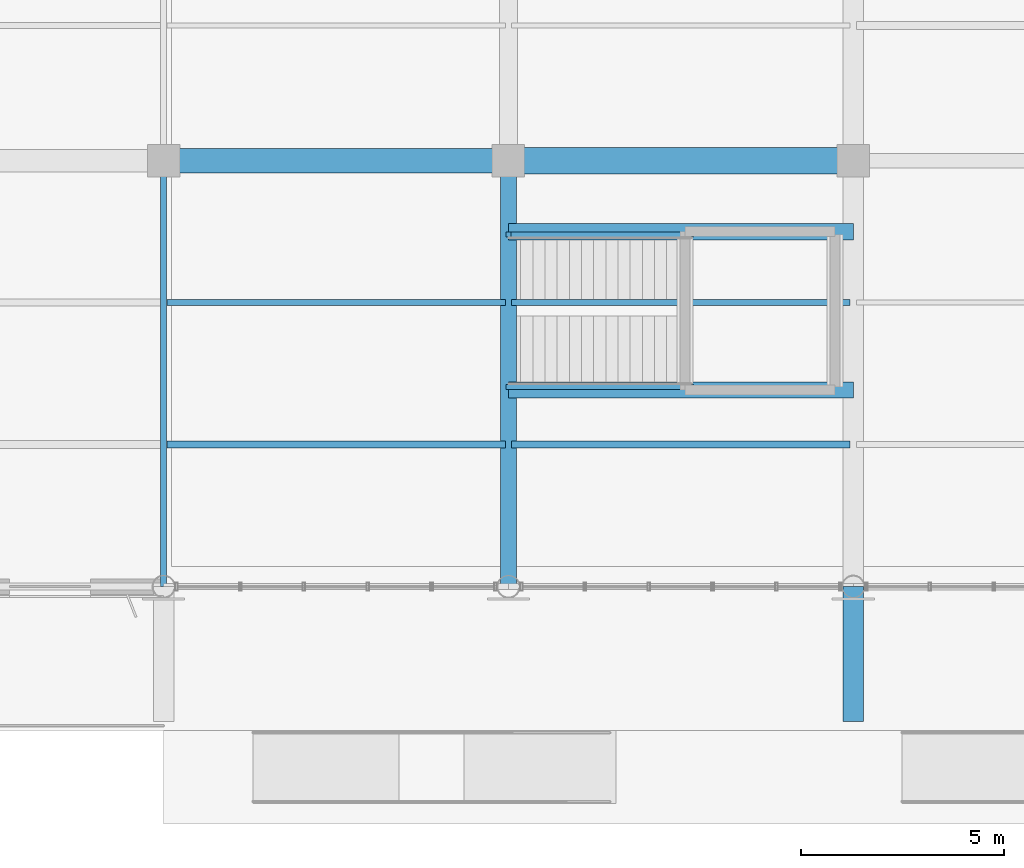
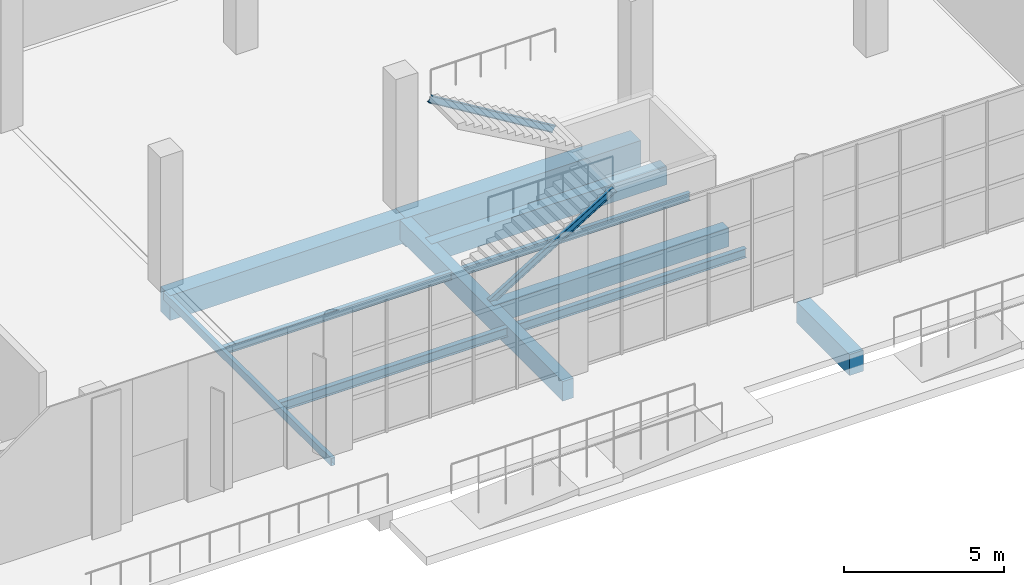
# One storey, part 9 of 90: 11 beams, 2 members.
"""IFC4 building model written with IfcOpenShell, lengths in metres."""

import ifcopenshell
import ifcopenshell.guid

model = None  # the IFC model being written
_history = None  # IfcOwnerHistory: only IFC2X3 demands one
_inside = {}  # id of a spatial element -> (the spatial element, [elements in it])
_under = {}  # id of a project, library or spatial element -> (it, [spatial elements below it])
_declared = {}  # id of a project -> (the project, [libraries it declares])
_typed = {}  # id of a type object -> (the type object, [elements of that type])
_made_of = {}  # id of a material, layer set ... -> (it, [elements and type objects made of it])


def new_model(schema):
    """Start an empty IFC model of exactly this schema.

    Asked for "IFC4X3", IfcOpenShell would pick the latest addendum, in which some entities
    have other attributes; the version numbers below select the first issue.
    IFC2X3 requires an IfcOwnerHistory on every rooted entity: one is made here for all.
    """
    global model, _history
    if schema == "IFC4X3":
        model = ifcopenshell.file(schema_version=(4, 3, 0, 0))
    else:
        model = ifcopenshell.file(schema=schema)
    _inside.clear()
    _under.clear()
    _declared.clear()
    _typed.clear()
    _made_of.clear()
    _history = None
    if model.schema == "IFC2X3":
        org = make("IfcOrganization", Name="unknown")
        user = make(
            "IfcPersonAndOrganization",
            ThePerson=make("IfcPerson", FamilyName="unknown"),
            TheOrganization=org,
        )
        app = make(
            "IfcApplication",
            ApplicationDeveloper=org,
            Version="unknown",
            ApplicationFullName="unknown",
            ApplicationIdentifier="unknown",
        )
        _history = make(
            "IfcOwnerHistory",
            OwningUser=user,
            OwningApplication=app,
            ChangeAction="ADDED",
            CreationDate=0,
        )
    return model


def make(cls, **values):
    """One entity of the class cls with the attributes given. An attribute that is None is left unset."""
    return model.create_entity(
        cls, **{name: value for name, value in values.items() if value is not None}
    )


def rooted(cls, **values):
    """An entity with a GlobalId (a new one), such as an element, a storey or a relation."""
    return make(cls, GlobalId=ifcopenshell.guid.new(), OwnerHistory=_history, **values)


def si_unit(unit_type, name, prefix=None):
    """IfcSIUnit, for example si_unit("LENGTHUNIT", "METRE", prefix="MILLI")."""
    return make("IfcSIUnit", UnitType=unit_type, Prefix=prefix, Name=name)


def assignment(units):
    """IfcUnitAssignment: the units of a project."""
    return None if units is None else make("IfcUnitAssignment", Units=units)


def point(xyz):
    """IfcCartesianPoint."""
    return None if xyz is None else make("IfcCartesianPoint", Coordinates=xyz)


def direction(xyz):
    """IfcDirection."""
    return None if xyz is None else make("IfcDirection", DirectionRatios=xyz)


def frame(location, z_axis=None, x_axis=None):
    """IfcAxis2Placement3D, a coordinate frame: its origin and axes. An axis left out is left unset."""
    return make(
        "IfcAxis2Placement3D",
        Location=point(location),
        Axis=direction(z_axis),
        RefDirection=direction(x_axis),
    )


def frame_2d(location, x_axis=None):
    """IfcAxis2Placement2D, a coordinate frame in the plane: its origin and x axis."""
    return make(
        "IfcAxis2Placement2D", Location=point(location), RefDirection=direction(x_axis)
    )


def origin():
    """The frame at (0, 0, 0) with its axes left unset."""
    return frame((0.0, 0.0, 0.0))


def origin_2d():
    """The frame at (0, 0) in the plane with its x axis left unset."""
    return frame_2d((0.0, 0.0))


def place(relative_to, where):
    """IfcLocalPlacement: puts the frame where relative to a parent placement (None: the world)."""
    return make(
        "IfcLocalPlacement", PlacementRelTo=relative_to, RelativePlacement=where
    )


def context(
    kind, dimensions, precision=None, world=None, true_north=None, identifier=None
):
    """IfcGeometricRepresentationContext, for example the 3D "Model" context."""
    return make(
        "IfcGeometricRepresentationContext",
        ContextIdentifier=identifier,
        ContextType=kind,
        CoordinateSpaceDimension=dimensions,
        Precision=precision,
        WorldCoordinateSystem=world,
        TrueNorth=true_north,
    )


def subcontext(parent, identifier, kind, view, scale=None):
    """IfcGeometricRepresentationSubContext, for example "Body" below "Model"."""
    return make(
        "IfcGeometricRepresentationSubContext",
        ContextIdentifier=identifier,
        ContextType=kind,
        ParentContext=parent,
        TargetScale=scale,
        TargetView=view,
    )


def project(units=None, contexts=None):
    """IfcProject with its units and contexts."""
    return rooted(
        "IfcProject",
        Name="project",
        RepresentationContexts=contexts,
        UnitsInContext=assignment(units),
    )


def spatial(cls, under=None, at=None, **own):
    """A site, building, storey or space (cls), placed at a placement, below another one or the project."""
    s = rooted(cls, ObjectPlacement=at, **own)
    if under is not None:
        _under.setdefault(under.id(), (under, []))[1].append(s)
    return s


def profile(cls, at=None, kind="AREA", **sizes):
    """A parametric profile (cls). Its sizes go by their IFC names, for example OverallWidth=200.0."""
    return make(cls, ProfileType=kind, Position=at, **sizes)


def rectangle(**sizes):
    """IfcRectangleProfileDef."""
    return profile("IfcRectangleProfileDef", **sizes)


def hollow_rectangle(**sizes):
    """IfcRectangleHollowProfileDef."""
    return profile("IfcRectangleHollowProfileDef", **sizes)


def i_section(**sizes):
    """IfcIShapeProfileDef."""
    return profile("IfcIShapeProfileDef", **sizes)


def extrude(swept, where, along, depth):
    """IfcExtrudedAreaSolid: the profile swept, set in the frame where, extruded along a direction by depth."""
    return make(
        "IfcExtrudedAreaSolid",
        SweptArea=swept,
        Position=where,
        ExtrudedDirection=direction(along),
        Depth=depth,
    )


def shape(context_of_items, identifier, shape_type, items):
    """IfcShapeRepresentation: the items that make up one representation, for example the "Body"."""
    return make(
        "IfcShapeRepresentation",
        ContextOfItems=context_of_items,
        RepresentationIdentifier=identifier,
        RepresentationType=shape_type,
        Items=items,
    )


def material(Name=None, Category=None):
    """IfcMaterial."""
    return make("IfcMaterial", Name=Name, Category=Category)


def material_profile(
    of_material, cross_section, Name=None, Category=None, Priority=None
):
    """IfcMaterialProfile: a cross section and its material."""
    return make(
        "IfcMaterialProfile",
        Name=Name,
        Material=of_material,
        Profile=cross_section,
        Priority=Priority,
        Category=Category,
    )


def profile_set(profiles, Name=None, composite=None):
    """IfcMaterialProfileSet."""
    return make(
        "IfcMaterialProfileSet",
        Name=Name,
        MaterialProfiles=profiles,
        CompositeProfile=composite,
    )


def made_of(thing, what):
    """Note that an element or type object is made of a material, layer set ...; save() writes the relation."""
    if what is not None:
        _made_of.setdefault(what.id(), (what, []))[1].append(thing)
    return thing


def type_object(cls, material=None, **own):
    """A type object (cls), such as IfcWallType, which elements share."""
    return made_of(rooted(cls, **own), material)


def element(
    cls,
    number,
    at=None,
    inside=None,
    cuts=None,
    type_object=None,
    material=None,
    context=None,
    identifier="Body",
    shape_type=None,
    held_by="IfcProductDefinitionShape",
    body=None,
    shapes=None,
    **own,
):
    """One element of the class cls, such as IfcWall. Its Tag is "e" and its number.

    at: its placement. inside: the storey or other place that contains it. cuts: it is an
    opening in that element (IfcRelVoidsElement). A single representation is given by context,
    identifier, shape_type and body (its items); several are given by shapes. held_by: the class
    of the entity that holds the representations. save() writes the other relations.
    """
    e = rooted(cls, Tag="e%d" % number, ObjectPlacement=at, **own)
    if body is not None:
        shapes = [shape(context, identifier, shape_type, body)]
    if shapes is not None:
        e.Representation = make(held_by, Representations=shapes)
    if inside is not None:
        _inside.setdefault(inside.id(), (inside, []))[1].append(e)
    if cuts is not None:
        rooted(
            "IfcRelVoidsElement", RelatingBuildingElement=cuts, RelatedOpeningElement=e
        )
    if type_object is not None:
        _typed.setdefault(type_object.id(), (type_object, []))[1].append(e)
    return made_of(e, material)


def aggregate(whole, parts):
    """IfcRelAggregates: a whole, such as a stair, and the parts it consists of."""
    return rooted("IfcRelAggregates", RelatingObject=whole, RelatedObjects=parts)


def save(model, path):
    """Write the relations noted so far, then the file.

    IfcRelAggregates (storeys below a building ...), IfcRelContainedInSpatialStructure (elements
    in a storey), IfcRelDefinesByType, IfcRelAssociatesMaterial and IfcRelDeclares: one each for
    every whole, place, type object, material and project.
    """
    for whole, parts in _under.values():
        aggregate(whole, parts)
    for where, things in _inside.values():
        rooted(
            "IfcRelContainedInSpatialStructure",
            RelatedElements=things,
            RelatingStructure=where,
        )
    for kind, things in _typed.values():
        rooted("IfcRelDefinesByType", RelatedObjects=things, RelatingType=kind)
    for what, things in _made_of.values():
        rooted("IfcRelAssociatesMaterial", RelatedObjects=things, RelatingMaterial=what)
    for by, libraries in _declared.values():
        rooted("IfcRelDeclares", RelatingContext=by, RelatedDefinitions=libraries)
    model.write(path)


model = new_model("IFC4")

# Units and contexts
model_context = context("Model", 3, precision=1e-05, world=origin(), true_north=direction((0.0, 1.0)))
body_context = subcontext(model_context, "Body", "Model", "MODEL_VIEW")
ifc_project = project(units=[si_unit("LENGTHUNIT", "METRE"), si_unit("AREAUNIT", "SQUARE_METRE"), si_unit("VOLUMEUNIT", "CUBIC_METRE"), si_unit("PLANEANGLEUNIT", "RADIAN"), si_unit("MASSUNIT", "GRAM", prefix="KILO")], contexts=[model_context])

# Site, building, storey
site_placement = place(None, origin())
site = spatial("IfcSite", under=ifc_project, at=site_placement, CompositionType="ELEMENT")
building_placement = place(site_placement, origin())
building = spatial("IfcBuilding", under=site, at=building_placement, Name="Solvikara Media Centre", CompositionType="ELEMENT")
storey_placement = place(building_placement, origin())
storey = spatial("IfcBuildingStorey", under=building, at=storey_placement, Name="L00", CompositionType="ELEMENT", Elevation=0.0)

# Beams
ifc_material_1 = material(Name="Concrete fc' 35 MPa (C35/45)", Category="concrete")
ifc_material_profile_1 = material_profile(ifc_material_1, rectangle(XDim=0.39990234375, YDim=0.699951171875, at=origin_2d()), Name="RC 400x700")
ifc_profile_set_1 = profile_set([ifc_material_profile_1], Name="Concrete fc' 35 MPa (C35/45)")
beam_type_1 = type_object("IfcBeamType", Name="BM-03", PredefinedType="BEAM", material=ifc_profile_set_1)
for number, where, z_axis, x_axis, name in (
    (1, (42.5, 4.85009765625, -0.68994140625), (1.0, 0.0, 0.0), (0.0, 1.0, 0.0), "B-FOY1-S"),
    (2, (42.5, 8.75, -0.68994140625), (1.0, 0.0, 0.0), (0.0, 1.0, 0.0), "B-FOY1-N"),
):
    element("IfcBeam", number, at=place(storey_placement, frame(where, z_axis=z_axis, x_axis=x_axis)), inside=storey, type_object=beam_type_1, Name=name, PredefinedType="BEAM", context=body_context, shape_type="SweptSolid", body=[
        extrude(rectangle(XDim=0.39990234375, YDim=0.699951171875, at=origin_2d()), origin(), (0.0, 0.0, 1.0), 8.5),
    ])
ifc_material_profile_2 = material_profile(ifc_material_1, rectangle(XDim=0.39990234375, YDim=0.75, at=origin_2d()), Name="RC 400x750")
ifc_profile_set_2 = profile_set([ifc_material_profile_2], Name="Concrete fc' 35 MPa (C35/45)")
beam_type_2 = type_object("IfcBeamType", Name="BM-04", PredefinedType="BEAM", material=ifc_profile_set_2)
beam_1_placement = place(storey_placement, frame((42.5, 0.0, -0.715087890625), z_axis=(0.0, 1.0, 0.0), x_axis=(-1.0, 0.0, 0.0)))
element("IfcBeam", 3, at=beam_1_placement, inside=storey, type_object=beam_type_2, Name="B-L00-Y0160", PredefinedType="BEAM", context=body_context, shape_type="SweptSolid", body=[
    extrude(rectangle(XDim=0.39990234375, YDim=0.75, at=origin_2d()), origin(), (0.0, 0.0, 1.0), 10.5),
])
ifc_material_profile_3 = material_profile(ifc_material_1, rectangle(XDim=0.5, YDim=0.800048828125, at=origin_2d()), Name="RC 500x800")
ifc_profile_set_3 = profile_set([ifc_material_profile_3], Name="Concrete fc' 35 MPa (C35/45)")
beam_type_3 = type_object("IfcBeamType", Name="BM-07", PredefinedType="BEAM", material=ifc_profile_set_3)
beam_2_placement = place(storey_placement, frame((51.0, -3.330078125, -0.64990234375), z_axis=(0.0, 1.0, 0.0), x_axis=(-1.0, 0.0, 0.0)))
element("IfcBeam", 4, at=beam_2_placement, inside=storey, type_object=beam_type_3, Name="B-L00-PRM-025", PredefinedType="BEAM", context=body_context, shape_type="SweptSolid", body=[
    extrude(rectangle(XDim=0.5, YDim=0.800048828125, at=origin_2d()), origin(), (0.0, 0.0, 1.0), 3.330078125),
])
ifc_material_2 = material(Name="Concrete fc' 45 MPa (C45/55)", Category="concrete")
ifc_material_profile_4 = material_profile(ifc_material_2, rectangle(XDim=0.60009765625, YDim=0.949951171875, at=origin_2d()), Name="RC 600x950")
ifc_profile_set_4 = profile_set([ifc_material_profile_4], Name="Concrete fc' 45 MPa (C45/55)")
beam_type_4 = type_object("IfcBeamType", Name="BM-11", PredefinedType="BEAM", material=ifc_profile_set_4)
beam_3_placement = place(storey_placement, frame((34.0, 10.5, -0.81494140625), z_axis=(1.0, 0.0, 0.0), x_axis=(0.0, 1.0, 0.0)))
element("IfcBeam", 5, at=beam_3_placement, inside=storey, type_object=beam_type_4, Name="B-L00-X0023", PredefinedType="BEAM", context=body_context, shape_type="SweptSolid", body=[
    extrude(rectangle(XDim=0.60009765625, YDim=0.949951171875, at=origin_2d()), origin(), (0.0, 0.0, 1.0), 8.5),
])
ifc_material_profile_5 = material_profile(ifc_material_2, rectangle(XDim=0.64990234375, YDim=1.10009765625, at=origin_2d()), Name="RC 650x1100")
ifc_profile_set_5 = profile_set([ifc_material_profile_5], Name="Concrete fc' 45 MPa (C45/55)")
beam_type_5 = type_object("IfcBeamType", Name="BM-12", PredefinedType="BEAM", material=ifc_profile_set_5)
beam_4_placement = place(storey_placement, frame((42.5, 10.5, -0.889892578125), z_axis=(1.0, 0.0, 0.0), x_axis=(0.0, 1.0, 0.0)))
element("IfcBeam", 6, at=beam_4_placement, inside=storey, type_object=beam_type_5, Name="B-L00-X0024", PredefinedType="BEAM", context=body_context, shape_type="SweptSolid", body=[
    extrude(rectangle(XDim=0.64990234375, YDim=1.10009765625, at=origin_2d()), origin(), (0.0, 0.0, 1.0), 8.5),
])
ifc_material_3 = material(Name="Steel S355JR", Category="steel")
ifc_material_profile_6 = material_profile(ifc_material_3, i_section(OverallWidth=0.175048828125, OverallDepth=0.35009765625, WebThickness=0.007080078125, FlangeThickness=0.010986328125, at=origin_2d()), Name="WF 350x175x7x11")
ifc_profile_set_6 = profile_set([ifc_material_profile_6], Name="Steel S355JR")
beam_type_6 = type_object("IfcBeamType", Name="BM-22", PredefinedType="JOIST", material=ifc_profile_set_6)
beam_5_placement = place(storey_placement, frame((34.077880859375, 3.5, -0.51708984375), z_axis=(1.0, 0.0, 0.0), x_axis=(0.0, 1.0, 0.0)))
element("IfcBeam", 7, at=beam_5_placement, inside=storey, type_object=beam_type_6, Name="J-L00-0330", PredefinedType="JOIST", context=body_context, shape_type="SweptSolid", body=[
    extrude(i_section(OverallWidth=0.175048828125, OverallDepth=0.35009765625, WebThickness=0.007080078125, FlangeThickness=0.010986328125, at=origin_2d()), origin(), (0.0, 0.0, 1.0), 8.34423828125),
])
ifc_material_profile_7 = material_profile(ifc_material_3, i_section(OverallWidth=0.14990234375, OverallDepth=0.300048828125, WebThickness=0.006591796875, FlangeThickness=0.009033203125, at=origin_2d()), Name="WF 300x150x6.5x9")
ifc_profile_set_7 = profile_set([ifc_material_profile_7], Name="Steel S355JR")
beam_type_7 = type_object("IfcBeamType", Name="BM-23", PredefinedType="JOIST", material=ifc_profile_set_7)
beam_6_placement = place(storey_placement, frame((34.077880859375, 7.0, -0.491943359375), z_axis=(1.0, 0.0, 0.0), x_axis=(0.0, 1.0, 0.0)))
element("IfcBeam", 8, at=beam_6_placement, inside=storey, type_object=beam_type_7, Name="J-L00-0331", PredefinedType="JOIST", context=body_context, shape_type="SweptSolid", body=[
    extrude(i_section(OverallWidth=0.14990234375, OverallDepth=0.300048828125, WebThickness=0.006591796875, FlangeThickness=0.009033203125, at=origin_2d()), origin(), (0.0, 0.0, 1.0), 8.34423828125),
])
ifc_material_profile_8 = material_profile(ifc_material_3, hollow_rectangle(XDim=0.14990234375, YDim=0.300048828125, WallThickness=0.010009765625, at=origin_2d()), Name="RHS 300x150x10")
ifc_profile_set_8 = profile_set([ifc_material_profile_8], Name="Steel S355JR")
beam_type_8 = type_object("IfcBeamType", Name="BM-35", PredefinedType="BEAM", material=ifc_profile_set_8)
beam_7_placement = place(storey_placement, frame((34.0, 0.0, -0.491943359375), z_axis=(0.0, 1.0, 0.0), x_axis=(-1.0, 0.0, 0.0)))
element("IfcBeam", 9, at=beam_7_placement, inside=storey, type_object=beam_type_8, Name="B-L00-Y0149", PredefinedType="BEAM", context=body_context, shape_type="SweptSolid", body=[
    extrude(hollow_rectangle(XDim=0.14990234375, YDim=0.300048828125, WallThickness=0.010009765625, at=origin_2d()), origin(), (0.0, 0.0, 1.0), 10.5),
])
ifc_material_profile_9 = material_profile(ifc_material_3, i_section(OverallWidth=0.174072265625, OverallDepth=0.345947265625, WebThickness=0.006103515625, FlangeThickness=0.009033203125, at=origin_2d()), Name="WF 346x174x6x9")
ifc_profile_set_9 = profile_set([ifc_material_profile_9], Name="Steel S355JR")
beam_type_9 = type_object("IfcBeamType", Name="BM-38", PredefinedType="JOIST", material=ifc_profile_set_9)
beam_8_placement = place(storey_placement, frame((42.577880859375, 3.5, -0.514892578125), z_axis=(1.0, 0.0, 0.0), x_axis=(0.0, 1.0, 0.0)))
element("IfcBeam", 10, at=beam_8_placement, inside=storey, type_object=beam_type_9, Name="J-L00-0334", PredefinedType="JOIST", context=body_context, shape_type="SweptSolid", body=[
    extrude(i_section(OverallWidth=0.174072265625, OverallDepth=0.345947265625, WebThickness=0.006103515625, FlangeThickness=0.009033203125, at=origin_2d()), origin(), (0.0, 0.0, 1.0), 8.34423828125),
])
ifc_material_profile_10 = material_profile(ifc_material_3, i_section(OverallWidth=0.14892578125, OverallDepth=0.298095703125, WebThickness=0.005615234375, FlangeThickness=0.008056640625, at=origin_2d()), Name="WF 298x149x5.5x8")
ifc_profile_set_10 = profile_set([ifc_material_profile_10], Name="Steel S355JR")
beam_type_10 = type_object("IfcBeamType", Name="BM-39", PredefinedType="JOIST", material=ifc_profile_set_10)
beam_9_placement = place(storey_placement, frame((42.577880859375, 7.0, -0.490966796875), z_axis=(1.0, 0.0, 0.0), x_axis=(0.0, 1.0, 0.0)))
element("IfcBeam", 11, at=beam_9_placement, inside=storey, type_object=beam_type_10, Name="J-L00-0335", PredefinedType="JOIST", context=body_context, shape_type="SweptSolid", body=[
    extrude(i_section(OverallWidth=0.14892578125, OverallDepth=0.298095703125, WebThickness=0.005615234375, FlangeThickness=0.008056640625, at=origin_2d()), origin(), (0.0, 0.0, 1.0), 8.34423828125),
])

# Members
ifc_material_profile_11 = material_profile(ifc_material_3, i_section(OverallWidth=0.1240234375, OverallDepth=0.248046875, WebThickness=0.0048828125, FlangeThickness=0.008056640625, at=origin_2d()), Name="WF 248x124x5x8")
ifc_profile_set_11 = profile_set([ifc_material_profile_11], Name="Steel S355JR")
member_type = type_object("IfcMemberType", Name="MB-23", PredefinedType="STRINGER", material=ifc_profile_set_11)
member_1_placement = place(storey_placement, frame((42.5, 4.919921875, -0.340087890625), z_axis=(0.853281833652, 0.0, 0.521450009454), x_axis=(0.0, 1.0, 0.0)))
element("IfcMember", 12, at=member_1_placement, inside=storey, type_object=member_type, Name="STRG-FOY-1A", PredefinedType="STRINGER", context=body_context, shape_type="SweptSolid", body=[
    extrude(i_section(OverallWidth=0.1240234375, OverallDepth=0.248046875, WebThickness=0.0048828125, FlangeThickness=0.008056640625, at=origin_2d()), origin(), (0.0, 0.0, 1.0), 5.273681640625),
])
member_2_placement = place(storey_placement, frame((47.0, 8.679931640625, 2.409912109375), z_axis=(-0.854969717386, 0.0, 0.518677917742), x_axis=(0.0, -1.0, 0.0)))
element("IfcMember", 13, at=member_2_placement, inside=storey, type_object=member_type, Name="STRG-FOY-1B", PredefinedType="STRINGER", context=body_context, shape_type="SweptSolid", body=[
    extrude(i_section(OverallWidth=0.1240234375, OverallDepth=0.248046875, WebThickness=0.0048828125, FlangeThickness=0.008056640625, at=origin_2d()), origin(), (0.0, 0.0, 1.0), 5.263427734375),
])

save(model, "model.ifc")
